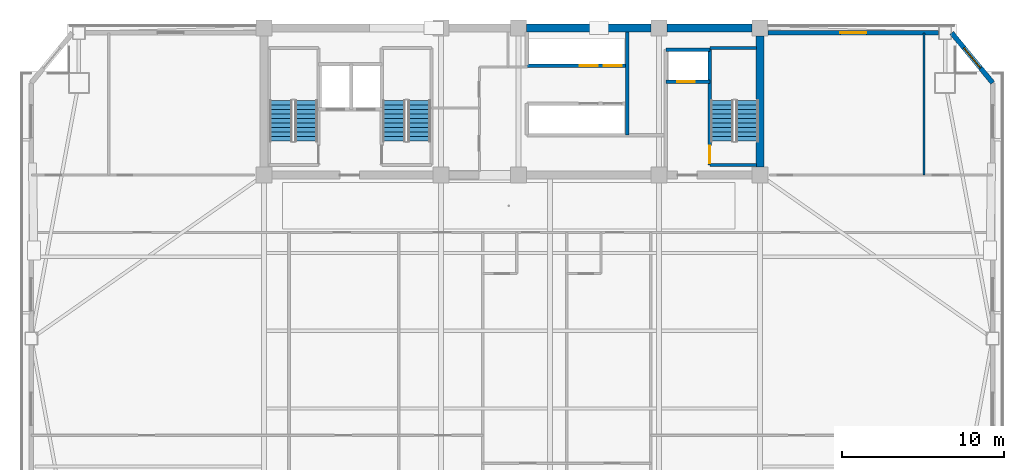
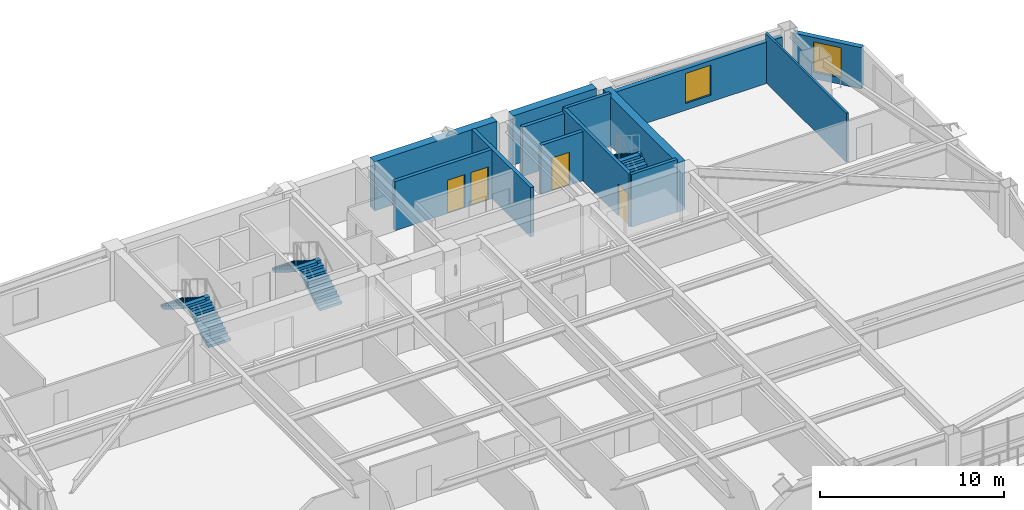
# One storey, part 10 of 15: 13 walls, 6 stair flights, 4 doors, 2 windows, 6 openings, 3 elements without a shape of their own.
"""IFC4 building model written with IfcOpenShell, lengths in metres."""

from ifc_helpers import new_model, si_unit, direction, frame, frame_2d, origin, place, context, subcontext, project, spatial, polyline, rectangle, outline, extrude, source, transform, mapped, material, layer, layer_set, type_object, element, fill, aggregate, save


model = new_model("IFC4")

# Units and contexts
model_context = context("Model", 3, precision=1e-05, world=origin(), true_north=direction((0.0, 1.0)))
body_context = subcontext(model_context, "Body", "Model", "MODEL_VIEW")
ifc_project = project(units=[si_unit("LENGTHUNIT", "METRE"), si_unit("AREAUNIT", "SQUARE_METRE"), si_unit("VOLUMEUNIT", "CUBIC_METRE"), si_unit("PLANEANGLEUNIT", "RADIAN"), si_unit("MASSUNIT", "GRAM", prefix="KILO")], contexts=[model_context])

# Site, building, storey
site_placement = place(None, origin())
site = spatial("IfcSite", under=ifc_project, at=site_placement, CompositionType="ELEMENT")
building_placement = place(site_placement, origin())
building = spatial("IfcBuilding", under=site, at=building_placement, Name="Giltprow Tower", CompositionType="ELEMENT")
storey_placement = place(building_placement, frame((0.0, 0.0, 152.699951171875)))
storey = spatial("IfcBuildingStorey", under=building, at=storey_placement, Name="L37", CompositionType="ELEMENT", Elevation=152.699951171875)

# Wall, opening, window
ifc_material_1 = material(Name="Precast concrete C40", Category="concrete")
ifc_layer_1 = layer(ifc_material_1, 0.300048828125, Name="Precast concrete C40")
ifc_layer_set_1 = layer_set([ifc_layer_1], Name="Precast concrete C40")
wall_type_1 = type_object("IfcWallType", Name="EW-NOTCH-CHAMFER-300", PredefinedType="SOLIDWALL", material=ifc_layer_set_1)
wall_1_placement = place(storey_placement, frame((64.950927734375, 43.160888671875, 0.0), z_axis=(0.0, 0.0, 1.0), x_axis=(-0.63493861858, 0.772562586873, 0.0)))
wall_1 = element("IfcWall", 1, at=wall_1_placement, inside=storey, type_object=wall_type_1, Name="L37 Corner Notch Wall NE", PredefinedType="SOLIDWALL", context=body_context, shape_type="SweptSolid", body=[
    extrude(rectangle(XDim=3.99853515625, YDim=0.300048828125, at=frame_2d((1.999267578125, 0.0))), origin(), (0.0, 0.0, 1.0), 2.75),
])
opening_1_placement = place(wall_1_placement, frame((1.198974609375, 0.0, 0.449951171875)))
opening_1 = element("IfcOpeningElement", 2, at=opening_1_placement, cuts=wall_1, Name="Opening WN17", PredefinedType="OPENING", context=body_context, shape_type="SweptSolid", body=[
    extrude(rectangle(XDim=1.60009765625, YDim=2.0, at=frame_2d((0.800048828125, 1.0))), frame((0.0, 0.159912109375, 0.0), z_axis=(0.0, -1.0, 0.0), x_axis=(1.0, 0.0, 0.0)), (0.0, 0.0, 1.0), 0.320068359375),
])
ifc_material_2 = material(Name="Insulated glass", Category="glass")
window_type = type_object("IfcWindowType", Name="WN-COR-1600x2000", PartitioningType="SINGLE_PANEL", PredefinedType="WINDOW", material=ifc_material_2)
shared_shape_1 = source(origin(), body_context, "Body", "SweptSolid", [
    extrude(rectangle(XDim=1.60009765625, YDim=2.0, at=frame_2d((0.800048828125, 1.0))), frame((0.0, 0.030029296875, 0.0), z_axis=(0.0, -1.0, 0.0), x_axis=(1.0, 0.0, 0.0)), (0.0, 0.0, 1.0), 0.06005859375),
])
window_1_placement = place(opening_1_placement, origin())
window_1 = element("IfcWindow", 3, at=window_1_placement, inside=storey, type_object=window_type, Name="L37 Corner Notch Window NE", OverallHeight=2.0, OverallWidth=1.60009765625, PartitioningType="SINGLE_PANEL", PredefinedType="WINDOW", context=body_context, shape_type="MappedRepresentation", body=[
    mapped(shared_shape_1, transform((0.0, 0.0, 0.0), x_axis=(1.0, 0.0, 0.0), y_axis=(0.0, 1.0, 0.0), z_axis=(0.0, 0.0, 1.0), scale=1.0)),
])
fill(opening_1, window_1)

ifc_layer_2 = layer(ifc_material_1, 0.280029296875, Name="Precast concrete C40")
ifc_layer_set_2 = layer_set([ifc_layer_2], Name="Precast concrete C40")
wall_type_2 = type_object("IfcWallType", Name="EW-TOW-BRONZE-280", PredefinedType="SOLIDWALL", material=ifc_layer_set_2)
wall_2_placement = place(storey_placement, frame((51.050048828125, 46.25, 0.0), z_axis=(0.0, 0.0, 1.0), x_axis=(1.0, 0.0, 0.0)))
wall_2 = element("IfcWall", 4, at=wall_2_placement, inside=storey, type_object=wall_type_2, Name="L37 North-East Wing Wall", PredefinedType="SOLIDWALL", context=body_context, shape_type="SweptSolid", body=[
    extrude(rectangle(XDim=10.56201171875, YDim=0.280029296875, at=frame_2d((5.281005859375, 0.0))), origin(), (0.0, 0.0, 1.0), 2.75),
])
opening_2_placement = place(wall_2_placement, frame((4.48095703125, 0.0, 0.449951171875)))
opening_2 = element("IfcOpeningElement", 5, at=opening_2_placement, cuts=wall_2, Name="Opening WN17", PredefinedType="OPENING", context=body_context, shape_type="SweptSolid", body=[
    extrude(rectangle(XDim=1.60009765625, YDim=2.0, at=frame_2d((0.800048828125, 1.0))), frame((0.0, 0.14990234375, 0.0), z_axis=(0.0, -1.0, 0.0), x_axis=(1.0, 0.0, 0.0)), (0.0, 0.0, 1.0), 0.300048828125),
])
window_2_placement = place(opening_2_placement, origin())
window_2 = element("IfcWindow", 6, at=window_2_placement, inside=storey, type_object=window_type, Name="L37 North-East Window", OverallHeight=2.0, OverallWidth=1.60009765625, PartitioningType="SINGLE_PANEL", PredefinedType="WINDOW", context=body_context, shape_type="MappedRepresentation", body=[
    mapped(shared_shape_1, transform((0.0, 0.0, 0.0), x_axis=(1.0, 0.0, 0.0), y_axis=(0.0, 1.0, 0.0), z_axis=(0.0, 0.0, 1.0), scale=1.0)),
])
fill(opening_2, window_2)

# Wall, opening, door
ifc_material_3 = material(Name="Concrete C40", Category="concrete")
ifc_layer_3 = layer(ifc_material_3, 0.219970703125, Name="Concrete C40")
ifc_layer_set_3 = layer_set([ifc_layer_3], Name="Concrete C40")
wall_type_3 = type_object("IfcWallType", Name="IW-SHAFT-220", PredefinedType="SOLIDWALL", material=ifc_layer_set_3)
wall_3_placement = place(storey_placement, frame((44.719970703125, 43.219970703125, 0.0), z_axis=(0.0, 0.0, 1.0), x_axis=(1.0, 0.0, 0.0)))
wall_3 = element("IfcWall", 7, at=wall_3_placement, inside=storey, type_object=wall_type_3, Name="L37 FFL2 Front Shaft Wall", PredefinedType="SOLIDWALL", context=body_context, shape_type="SweptSolid", body=[
    extrude(rectangle(XDim=2.719970703125, YDim=0.219970703125, at=frame_2d((1.35986328125, 0.0))), origin(), (0.0, 0.0, 1.0), 3.27001953125),
])
opening_3_placement = place(wall_3_placement, frame((0.699951171875, 0.0, 0.0)))
opening_3 = element("IfcOpeningElement", 8, at=opening_3_placement, cuts=wall_3, Name="Opening LD-11", PredefinedType="OPENING", context=body_context, shape_type="SweptSolid", body=[
    extrude(rectangle(XDim=1.10009765625, YDim=2.199951171875, at=frame_2d((0.550048828125, 1.10009765625))), frame((0.0, 0.119873046875, 0.0), z_axis=(0.0, -1.0, 0.0), x_axis=(1.0, 0.0, 0.0)), (0.0, 0.0, 1.0), 0.239990234375),
])
ifc_material_4 = material(Name="Stainless steel", Category="steel")
door_type_1 = type_object("IfcDoorType", Name="DR-LIFT-LD1100", OperationType="SLIDING_TO_LEFT", PredefinedType="DOOR", material=ifc_material_4)
shared_shape_2 = source(origin(), body_context, "Body", "SweptSolid", [
    extrude(rectangle(XDim=1.10009765625, YDim=2.199951171875, at=frame_2d((0.550048828125, 1.10009765625))), frame((0.0, 0.02490234375, 0.0), z_axis=(0.0, -1.0, 0.0), x_axis=(1.0, 0.0, 0.0)), (0.0, 0.0, 1.0), 0.050048828125),
])
door_1_placement = place(opening_3_placement, origin())
door_1 = element("IfcDoor", 9, at=door_1_placement, inside=storey, type_object=door_type_1, Name="L37 FFL2 Landing Door", OperationType="SLIDING_TO_LEFT", OverallHeight=2.199951171875, OverallWidth=1.10009765625, PredefinedType="DOOR", context=body_context, shape_type="MappedRepresentation", body=[
    mapped(shared_shape_2, transform((0.0, 0.0, 0.0), x_axis=(1.0, 0.0, 0.0), y_axis=(0.0, 1.0, 0.0), z_axis=(0.0, 0.0, 1.0), scale=1.0)),
])
fill(opening_3, door_1)

# Wall
wall_4_placement = place(storey_placement, frame((44.719970703125, 45.219970703125, 0.0), z_axis=(0.0, 0.0, 1.0), x_axis=(1.0, 0.0, 0.0)))
element("IfcWall", 10, at=wall_4_placement, inside=storey, type_object=wall_type_3, Name="L37 FFL2 Back Shaft Wall", PredefinedType="SOLIDWALL", context=body_context, shape_type="SweptSolid", body=[
    extrude(rectangle(XDim=2.719970703125, YDim=0.219970703125, at=frame_2d((1.35986328125, 0.0))), origin(), (0.0, 0.0, 1.0), 3.27001953125),
])

# Wall, openings, doors
wall_5_placement = place(storey_placement, frame((36.1201171875, 44.219970703125, 0.0), z_axis=(0.0, 0.0, 1.0), x_axis=(1.0, 0.0, 0.0)))
wall_5 = element("IfcWall", 11, at=wall_5_placement, inside=storey, type_object=wall_type_3, Name="L37 Mid-Rise Lift Shaft Front Wall N", PredefinedType="SOLIDWALL", context=body_context, shape_type="SweptSolid", body=[
    extrude(rectangle(XDim=6.199951171875, YDim=0.219970703125, at=frame_2d((3.10009765625, 0.0))), origin(), (0.0, 0.0, 1.0), 3.27001953125),
])
opening_4_placement = place(wall_5_placement, frame((3.280029296875, 0.0, 0.0)))
opening_4 = element("IfcOpeningElement", 12, at=opening_4_placement, cuts=wall_5, Name="Opening LD-11", PredefinedType="OPENING", context=body_context, shape_type="SweptSolid", body=[
    extrude(rectangle(XDim=1.10009765625, YDim=2.199951171875, at=frame_2d((0.550048828125, 1.10009765625))), frame((0.0, 0.119873046875, 0.0), z_axis=(0.0, -1.0, 0.0), x_axis=(1.0, 0.0, 0.0)), (0.0, 0.0, 1.0), 0.239990234375),
])
opening_5_placement = place(wall_5_placement, frame((4.77001953125, 0.0, 0.0)))
opening_5 = element("IfcOpeningElement", 13, at=opening_5_placement, cuts=wall_5, Name="Opening LD-11", PredefinedType="OPENING", context=body_context, shape_type="SweptSolid", body=[
    extrude(rectangle(XDim=1.10009765625, YDim=2.199951171875, at=frame_2d((0.550048828125, 1.10009765625))), frame((0.0, 0.119873046875, 0.0), z_axis=(0.0, -1.0, 0.0), x_axis=(1.0, 0.0, 0.0)), (0.0, 0.0, 1.0), 0.239990234375),
])
door_2_placement = place(opening_4_placement, origin())
door_2 = element("IfcDoor", 14, at=door_2_placement, inside=storey, type_object=door_type_1, Name="L37 PL-M1 Landing Door", OperationType="SLIDING_TO_LEFT", OverallHeight=2.199951171875, OverallWidth=1.10009765625, PredefinedType="DOOR", context=body_context, shape_type="MappedRepresentation", body=[
    mapped(shared_shape_2, transform((0.0, 0.0, 0.0), x_axis=(1.0, 0.0, 0.0), y_axis=(0.0, 1.0, 0.0), z_axis=(0.0, 0.0, 1.0), scale=1.0)),
])
fill(opening_4, door_2)
door_3_placement = place(opening_5_placement, origin())
door_3 = element("IfcDoor", 15, at=door_3_placement, inside=storey, type_object=door_type_1, Name="L37 PL-M2 Landing Door", OperationType="SLIDING_TO_LEFT", OverallHeight=2.199951171875, OverallWidth=1.10009765625, PredefinedType="DOOR", context=body_context, shape_type="MappedRepresentation", body=[
    mapped(shared_shape_2, transform((0.0, 0.0, 0.0), x_axis=(1.0, 0.0, 0.0), y_axis=(0.0, 1.0, 0.0), z_axis=(0.0, 0.0, 1.0), scale=1.0)),
])
fill(opening_5, door_3)

# Wall
wall_6_placement = place(storey_placement, frame((42.320068359375, 39.919921875, 0.0), z_axis=(0.0, 0.0, 1.0), x_axis=(0.0, 1.0, 0.0)))
element("IfcWall", 16, at=wall_6_placement, inside=storey, type_object=wall_type_3, Name="L37 Mid-Rise Lift Bank East Closure", PredefinedType="SOLIDWALL", context=body_context, shape_type="SweptSolid", body=[
    extrude(rectangle(XDim=6.400146484375, YDim=0.219970703125, at=frame_2d((3.2001953125, 0.0))), origin(), (0.0, 0.0, 1.0), 3.27001953125),
])

# Wall, opening, door
ifc_layer_4 = layer(ifc_material_3, 0.199951171875, Name="Concrete C40")
ifc_layer_set_4 = layer_set([ifc_layer_4], Name="Concrete C40")
wall_type_4 = type_object("IfcWallType", Name="IW-STAIR-200", PredefinedType="SOLIDWALL", material=ifc_layer_set_4)
wall_7_placement = place(storey_placement, frame((47.43994140625, 38.070068359375, 0.0), z_axis=(0.0, 0.0, 1.0), x_axis=(0.0, 1.0, 0.0)))
wall_7 = element("IfcWall", 17, at=wall_7_placement, inside=storey, type_object=wall_type_4, Name="L37 Stair ST-3 West Bearing Wall", PredefinedType="SOLIDWALL", context=body_context, shape_type="SweptSolid", body=[
    extrude(rectangle(XDim=7.25, YDim=0.199951171875, at=frame_2d((3.625, 0.0))), origin(), (0.0, 0.0, 1.0), 3.5),
])
opening_6_placement = place(wall_7_placement, frame((0.110107421875, 0.0, 0.0)))
opening_6 = element("IfcOpeningElement", 18, at=opening_6_placement, cuts=wall_7, Name="Opening ID33", PredefinedType="OPENING", context=body_context, shape_type="SweptSolid", body=[
    extrude(rectangle(XDim=1.10009765625, YDim=2.14990234375, at=frame_2d((0.550048828125, 1.074951171875))), frame((0.0, 0.10986328125, 0.0), z_axis=(0.0, -1.0, 0.0), x_axis=(1.0, 0.0, 0.0)), (0.0, 0.0, 1.0), 0.219970703125),
])
ifc_material_5 = material(Name="Steel fire leaf", Category="steel")
door_type_2 = type_object("IfcDoorType", Name="DR-STAIR-1100", OperationType="SINGLE_SWING_LEFT", PredefinedType="DOOR", material=ifc_material_5)
shared_shape_3 = source(origin(), body_context, "Body", "SweptSolid", [
    extrude(rectangle(XDim=1.10009765625, YDim=2.14990234375, at=frame_2d((0.550048828125, 1.074951171875))), frame((0.0, 0.02490234375, 0.0), z_axis=(0.0, -1.0, 0.0), x_axis=(1.0, 0.0, 0.0)), (0.0, 0.0, 1.0), 0.050048828125),
])
door_4_placement = place(opening_6_placement, origin())
door_4 = element("IfcDoor", 19, at=door_4_placement, inside=storey, type_object=door_type_2, Name="L37 Stair ST-3 Fire Door", OperationType="SINGLE_SWING_LEFT", OverallHeight=2.14990234375, OverallWidth=1.10009765625, PredefinedType="DOOR", context=body_context, shape_type="MappedRepresentation", body=[
    mapped(shared_shape_3, transform((0.0, 0.0, 0.0), x_axis=(1.0, 0.0, 0.0), y_axis=(0.0, 1.0, 0.0), z_axis=(0.0, 0.0, 1.0), scale=1.0)),
])
fill(opening_6, door_4)

# Walls
for number, where, z_axis, x_axis, name in (
    (20, (47.43994140625, 45.320068359375, 0.0), (0.0, 0.0, 1.0), (1.0, 0.0, 0.0), "L37 Stair ST-3 North Bearing Wall"),
    (21, (47.43994140625, 38.070068359375, 0.0), (0.0, 0.0, 1.0), (1.0, 0.0, 0.0), "L37 Stair ST-3 South Bearing Wall"),
):
    element("IfcWall", number, at=place(storey_placement, frame(where, z_axis=z_axis, x_axis=x_axis)), inside=storey, type_object=wall_type_4, Name=name, PredefinedType="SOLIDWALL", context=body_context, shape_type="SweptSolid", body=[
        extrude(rectangle(XDim=2.880126953125, YDim=0.199951171875, at=frame_2d((1.43994140625, 0.0))), origin(), (0.0, 0.0, 1.0), 3.5),
    ])
ifc_material_6 = material(Name="Concrete C30", Category="concrete")
ifc_layer_5 = layer(ifc_material_6, 0.1298828125, Name="Concrete C30")
ifc_layer_set_5 = layer_set([ifc_layer_5], Name="Concrete C30")
wall_type_5 = type_object("IfcWallType", Name="IW-WET-130", PredefinedType="PARTITIONING", material=ifc_layer_set_5)
wall_8_placement = place(storey_placement, frame((60.700927734375, 37.449951171875, 0.0), z_axis=(0.0, 0.0, 1.0), x_axis=(0.0, 1.0, 0.0)))
element("IfcWall", 22, at=wall_8_placement, inside=storey, type_object=wall_type_5, Name="L37 NE Wing Divider", PredefinedType="PARTITIONING", context=body_context, shape_type="SweptSolid", body=[
    extrude(rectangle(XDim=8.800048828125, YDim=0.1298828125, at=frame_2d((4.39990234375, 0.0))), origin(), (0.0, 0.0, 1.0), 3.27001953125),
])
ifc_material_7 = material(Name="Concrete C50", Category="concrete")
ifc_layer_6 = layer(ifc_material_7, 0.5, Name="Concrete C50")
ifc_layer_set_6 = layer_set([ifc_layer_6], Name="Concrete C50")
wall_type_6 = type_object("IfcWallType", Name="SW-EXT-500-C50", PredefinedType="SHEAR", material=ifc_layer_set_6)
wall_9_placement = place(storey_placement, frame((36.10009765625, 46.550048828125, 0.0), z_axis=(0.0, 0.0, 1.0), x_axis=(1.0, 0.0, 0.0)))
element("IfcWall", 23, at=wall_9_placement, inside=storey, type_object=wall_type_6, Name="L37 North Rear Core Shear Wall 3", PredefinedType="SHEAR", context=body_context, shape_type="SweptSolid", body=[
    extrude(rectangle(XDim=7.699951171875, YDim=0.5, at=frame_2d((3.85009765625, 0.0))), origin(), (0.0, 0.0, 1.0), 3.27001953125),
])
wall_10_placement = place(storey_placement, frame((44.800048828125, 46.550048828125, 0.0), z_axis=(0.0, 0.0, 1.0), x_axis=(1.0, 0.0, 0.0)))
element("IfcWall", 24, at=wall_10_placement, inside=storey, type_object=wall_type_6, Name="L37 North Rear Core Shear Wall 4", PredefinedType="SHEAR", context=body_context, shape_type="SweptSolid", body=[
    extrude(rectangle(XDim=5.25, YDim=0.5, at=frame_2d((2.625, 0.0))), origin(), (0.0, 0.0, 1.0), 3.27001953125),
])
ifc_layer_7 = layer(ifc_material_7, 0.5, Name="Concrete C50")
ifc_layer_set_7 = layer_set([ifc_layer_7], Name="Concrete C50")
wall_type_7 = type_object("IfcWallType", Name="SW-INT-500-C50", PredefinedType="SHEAR", material=ifc_layer_set_7)
wall_11_placement = place(storey_placement, frame((50.550048828125, 37.949951171875, 0.0), z_axis=(0.0, 0.0, 1.0), x_axis=(0.0, 1.0, 0.0)))
element("IfcWall", 25, at=wall_11_placement, inside=storey, type_object=wall_type_7, Name="L37 E Rear Core Shear Wall", PredefinedType="SHEAR", context=body_context, shape_type="SweptSolid", body=[
    extrude(rectangle(XDim=8.10009765625, YDim=0.5, at=frame_2d((4.050048828125, 0.0))), origin(), (0.0, 0.0, 1.0), 3.27001953125),
])

# Stair, stair flights
stair_type_1 = type_object("IfcStairType", Name="STR-ST-1", PredefinedType="HALF_TURN_STAIR", material=ifc_material_3)
stair_1_placement = place(storey_placement, origin())
stair_1 = element("IfcStair", 26, at=stair_1_placement, inside=storey, type_object=stair_type_1, Name="L37 Core Exit Stair ST-1", PredefinedType="HALF_TURN_STAIR")
stair_flight_type_1 = type_object("IfcStairFlightType", Name="SFL-ST-1", PredefinedType="STRAIGHT", material=ifc_material_3)
stair_flight_1_placement = place(storey_placement, frame((22.4599609375, 39.550048828125, 0.0), z_axis=(0.0, 0.0, 1.0), x_axis=(0.0, 1.0, 0.0)))
stair_flight_1 = element("IfcStairFlight", 27, at=stair_flight_1_placement, type_object=stair_flight_type_1, Name="ST-1 flight 1", NumberOfRisers=10, NumberOfTreads=9, PredefinedType="STRAIGHT", RiserHeight=0.175, TreadLength=0.28, context=body_context, shape_type="SweptSolid", body=[
    extrude(outline(polyline([(0.0, 0.0), (0.0, 0.175048828125), (0.280029296875, 0.175048828125), (0.280029296875, 0.35009765625), (0.56005859375, 0.35009765625), (0.56005859375, 0.52490234375), (0.840087890625, 0.52490234375), (0.840087890625, 0.699951171875), (1.1201171875, 0.699951171875), (1.1201171875, 0.875), (1.39990234375, 0.875), (1.39990234375, 1.050048828125), (1.679931640625, 1.050048828125), (1.679931640625, 1.22509765625), (1.9599609375, 1.22509765625), (1.9599609375, 1.39990234375), (2.239990234375, 1.39990234375), (2.239990234375, 1.574951171875), (2.52001953125, 1.574951171875), (2.52001953125, 1.75), (2.52001953125, 1.398193359375), (0.28271484375, 0.0), (0.0, 0.0)])), frame((0.0, 0.699951171875, 0.0), z_axis=(0.0, -1.0, 0.0), x_axis=(1.0, 0.0, 0.0)), (0.0, 0.0, 1.0), 1.39990234375),
])
stair_flight_2_placement = place(storey_placement, frame((20.89990234375, 42.070068359375, 1.75), z_axis=(0.0, 0.0, 1.0), x_axis=(0.0, -1.0, 0.0)))
stair_flight_2 = element("IfcStairFlight", 28, at=stair_flight_2_placement, type_object=stair_flight_type_1, Name="ST-1 flight 2", NumberOfRisers=10, NumberOfTreads=9, PredefinedType="STRAIGHT", RiserHeight=0.175, TreadLength=0.28, context=body_context, shape_type="SweptSolid", body=[
    extrude(outline(polyline([(0.0, 0.0), (0.0, 0.175048828125), (0.280029296875, 0.175048828125), (0.280029296875, 0.35009765625), (0.56005859375, 0.35009765625), (0.56005859375, 0.52490234375), (0.840087890625, 0.52490234375), (0.840087890625, 0.699951171875), (1.1201171875, 0.699951171875), (1.1201171875, 0.875), (1.39990234375, 0.875), (1.39990234375, 1.050048828125), (1.679931640625, 1.050048828125), (1.679931640625, 1.22509765625), (1.9599609375, 1.22509765625), (1.9599609375, 1.39990234375), (2.239990234375, 1.39990234375), (2.239990234375, 1.574951171875), (2.52001953125, 1.574951171875), (2.52001953125, 1.75), (2.52001953125, 1.398193359375), (0.28271484375, 0.0), (0.0, 0.0)])), frame((0.0, 0.699951171875, 0.0), z_axis=(0.0, -1.0, 0.0), x_axis=(1.0, 0.0, 0.0)), (0.0, 0.0, 1.0), 1.39990234375),
])
aggregate(stair_1, [stair_flight_1, stair_flight_2])

stair_type_2 = type_object("IfcStairType", Name="STR-ST-2", PredefinedType="HALF_TURN_STAIR", material=ifc_material_3)
stair_2_placement = place(storey_placement, origin())
stair_2 = element("IfcStair", 29, at=stair_2_placement, inside=storey, type_object=stair_type_2, Name="L37 Core Exit Stair ST-2", PredefinedType="HALF_TURN_STAIR")
stair_flight_type_2 = type_object("IfcStairFlightType", Name="SFL-ST-2", PredefinedType="STRAIGHT", material=ifc_material_3)
stair_flight_3_placement = place(storey_placement, frame((29.4599609375, 39.550048828125, 0.0), z_axis=(0.0, 0.0, 1.0), x_axis=(0.0, 1.0, 0.0)))
stair_flight_3 = element("IfcStairFlight", 30, at=stair_flight_3_placement, type_object=stair_flight_type_2, Name="ST-2 flight 1", NumberOfRisers=10, NumberOfTreads=9, PredefinedType="STRAIGHT", RiserHeight=0.175, TreadLength=0.28, context=body_context, shape_type="SweptSolid", body=[
    extrude(outline(polyline([(0.0, 0.0), (0.0, 0.175048828125), (0.280029296875, 0.175048828125), (0.280029296875, 0.35009765625), (0.56005859375, 0.35009765625), (0.56005859375, 0.52490234375), (0.840087890625, 0.52490234375), (0.840087890625, 0.699951171875), (1.1201171875, 0.699951171875), (1.1201171875, 0.875), (1.39990234375, 0.875), (1.39990234375, 1.050048828125), (1.679931640625, 1.050048828125), (1.679931640625, 1.22509765625), (1.9599609375, 1.22509765625), (1.9599609375, 1.39990234375), (2.239990234375, 1.39990234375), (2.239990234375, 1.574951171875), (2.52001953125, 1.574951171875), (2.52001953125, 1.75), (2.52001953125, 1.398193359375), (0.28271484375, 0.0), (0.0, 0.0)])), frame((0.0, 0.699951171875, 0.0), z_axis=(0.0, -1.0, 0.0), x_axis=(1.0, 0.0, 0.0)), (0.0, 0.0, 1.0), 1.39990234375),
])
stair_flight_4_placement = place(storey_placement, frame((27.89990234375, 42.070068359375, 1.75), z_axis=(0.0, 0.0, 1.0), x_axis=(0.0, -1.0, 0.0)))
stair_flight_4 = element("IfcStairFlight", 31, at=stair_flight_4_placement, type_object=stair_flight_type_2, Name="ST-2 flight 2", NumberOfRisers=10, NumberOfTreads=9, PredefinedType="STRAIGHT", RiserHeight=0.175, TreadLength=0.28, context=body_context, shape_type="SweptSolid", body=[
    extrude(outline(polyline([(0.0, 0.0), (0.0, 0.175048828125), (0.280029296875, 0.175048828125), (0.280029296875, 0.35009765625), (0.56005859375, 0.35009765625), (0.56005859375, 0.52490234375), (0.840087890625, 0.52490234375), (0.840087890625, 0.699951171875), (1.1201171875, 0.699951171875), (1.1201171875, 0.875), (1.39990234375, 0.875), (1.39990234375, 1.050048828125), (1.679931640625, 1.050048828125), (1.679931640625, 1.22509765625), (1.9599609375, 1.22509765625), (1.9599609375, 1.39990234375), (2.239990234375, 1.39990234375), (2.239990234375, 1.574951171875), (2.52001953125, 1.574951171875), (2.52001953125, 1.75), (2.52001953125, 1.398193359375), (0.28271484375, 0.0), (0.0, 0.0)])), frame((0.0, 0.699951171875, 0.0), z_axis=(0.0, -1.0, 0.0), x_axis=(1.0, 0.0, 0.0)), (0.0, 0.0, 1.0), 1.39990234375),
])
aggregate(stair_2, [stair_flight_3, stair_flight_4])

stair_type_3 = type_object("IfcStairType", Name="STR-ST-3", PredefinedType="HALF_TURN_STAIR", material=ifc_material_3)
stair_3_placement = place(storey_placement, origin())
stair_3 = element("IfcStair", 32, at=stair_3_placement, inside=storey, type_object=stair_type_3, Name="L37 Core Exit Stair ST-3", PredefinedType="HALF_TURN_STAIR")
stair_flight_type_3 = type_object("IfcStairFlightType", Name="SFL-ST-3", PredefinedType="STRAIGHT", material=ifc_material_3)
stair_flight_5_placement = place(storey_placement, frame((49.760009765625, 39.550048828125, 0.0), z_axis=(0.0, 0.0, 1.0), x_axis=(0.0, 1.0, 0.0)))
stair_flight_5 = element("IfcStairFlight", 33, at=stair_flight_5_placement, type_object=stair_flight_type_3, Name="ST-3 flight 1", NumberOfRisers=10, NumberOfTreads=9, PredefinedType="STRAIGHT", RiserHeight=0.175, TreadLength=0.28, context=body_context, shape_type="SweptSolid", body=[
    extrude(outline(polyline([(0.0, 0.0), (0.0, 0.175048828125), (0.280029296875, 0.175048828125), (0.280029296875, 0.35009765625), (0.56005859375, 0.35009765625), (0.56005859375, 0.52490234375), (0.840087890625, 0.52490234375), (0.840087890625, 0.699951171875), (1.1201171875, 0.699951171875), (1.1201171875, 0.875), (1.39990234375, 0.875), (1.39990234375, 1.050048828125), (1.679931640625, 1.050048828125), (1.679931640625, 1.22509765625), (1.9599609375, 1.22509765625), (1.9599609375, 1.39990234375), (2.239990234375, 1.39990234375), (2.239990234375, 1.574951171875), (2.52001953125, 1.574951171875), (2.52001953125, 1.75), (2.52001953125, 1.398193359375), (0.28271484375, 0.0), (0.0, 0.0)])), frame((0.0, 0.699951171875, 0.0), z_axis=(0.0, -1.0, 0.0), x_axis=(1.0, 0.0, 0.0)), (0.0, 0.0, 1.0), 1.39990234375),
])
stair_flight_6_placement = place(storey_placement, frame((48.199951171875, 42.070068359375, 1.75), z_axis=(0.0, 0.0, 1.0), x_axis=(0.0, -1.0, 0.0)))
stair_flight_6 = element("IfcStairFlight", 34, at=stair_flight_6_placement, type_object=stair_flight_type_3, Name="ST-3 flight 2", NumberOfRisers=10, NumberOfTreads=9, PredefinedType="STRAIGHT", RiserHeight=0.175, TreadLength=0.28, context=body_context, shape_type="SweptSolid", body=[
    extrude(outline(polyline([(0.0, 0.0), (0.0, 0.175048828125), (0.280029296875, 0.175048828125), (0.280029296875, 0.35009765625), (0.56005859375, 0.35009765625), (0.56005859375, 0.52490234375), (0.840087890625, 0.52490234375), (0.840087890625, 0.699951171875), (1.1201171875, 0.699951171875), (1.1201171875, 0.875), (1.39990234375, 0.875), (1.39990234375, 1.050048828125), (1.679931640625, 1.050048828125), (1.679931640625, 1.22509765625), (1.9599609375, 1.22509765625), (1.9599609375, 1.39990234375), (2.239990234375, 1.39990234375), (2.239990234375, 1.574951171875), (2.52001953125, 1.574951171875), (2.52001953125, 1.75), (2.52001953125, 1.398193359375), (0.28271484375, 0.0), (0.0, 0.0)])), frame((0.0, 0.699951171875, 0.0), z_axis=(0.0, -1.0, 0.0), x_axis=(1.0, 0.0, 0.0)), (0.0, 0.0, 1.0), 1.39990234375),
])
aggregate(stair_3, [stair_flight_5, stair_flight_6])

save(model, "model.ifc")
